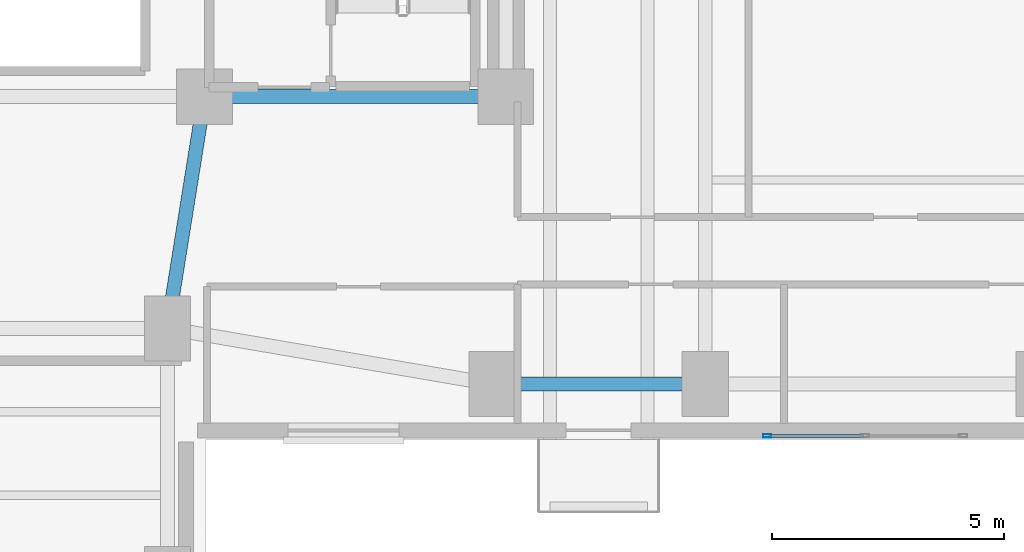
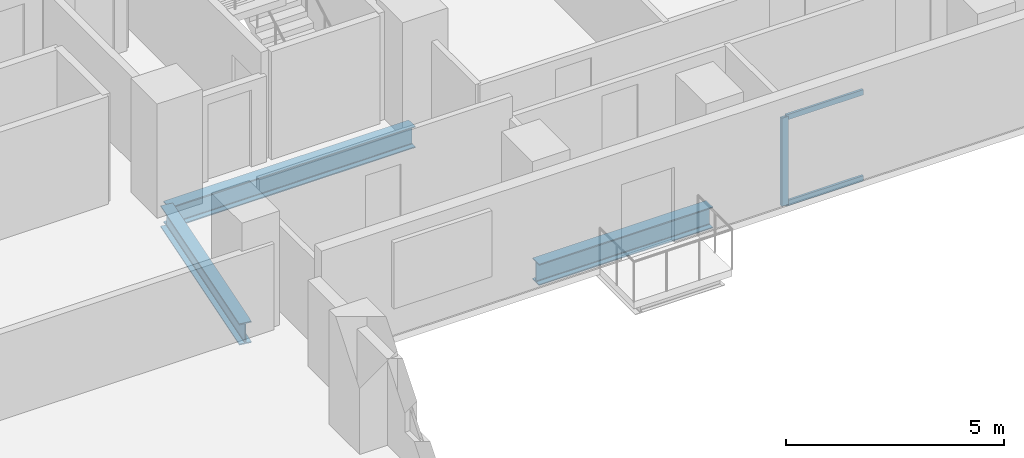
# One storey, part 4 of 17: 3 beams, 3 members, 1 element without a shape of its own.
"""IFC4 building model written with IfcOpenShell, lengths in metres."""

from ifc_helpers import new_model, si_unit, direction, frame, origin, origin_2d, place, context, subcontext, project, spatial, hollow_rectangle, i_section, extrude, material, material_profile, profile_set, type_object, element, aggregate, save


model = new_model("IFC4")

# Units and contexts
model_context = context("Model", 3, precision=1e-05, world=origin(), true_north=direction((0.0, 1.0)))
body_context = subcontext(model_context, "Body", "Model", "MODEL_VIEW")
ifc_project = project(units=[si_unit("LENGTHUNIT", "METRE"), si_unit("AREAUNIT", "SQUARE_METRE"), si_unit("VOLUMEUNIT", "CUBIC_METRE"), si_unit("PLANEANGLEUNIT", "RADIAN"), si_unit("MASSUNIT", "GRAM", prefix="KILO")], contexts=[model_context])

# Site, building, storey
site_placement = place(None, origin())
site = spatial("IfcSite", under=ifc_project, at=site_placement, CompositionType="ELEMENT")
building_placement = place(site_placement, origin())
building = spatial("IfcBuilding", under=site, at=building_placement, Name="Kuzgunbayir Cultural Tower", CompositionType="ELEMENT")
storey_placement = place(building_placement, frame((0.0, 0.0, 46.800048828125)))
storey = spatial("IfcBuildingStorey", under=building, at=storey_placement, Name="L12", CompositionType="ELEMENT", Elevation=46.800048828125)

# Beams
ifc_material_1 = material(Name="Steel S355J2", Category="steel")
ifc_material_profile_1 = material_profile(ifc_material_1, i_section(OverallWidth=0.300048828125, OverallDepth=0.60009765625, WebThickness=0.015380859375, FlangeThickness=0.030029296875, FilletRadius=0.027099609375, at=origin_2d()), Name="HEB 600")
ifc_profile_set_1 = profile_set([ifc_material_profile_1], Name="Steel S355J2")
beam_type_1 = type_object("IfcBeamType", Name="BM-EXT-HEB600", PredefinedType="BEAM", material=ifc_profile_set_1)
beam_1_placement = place(storey_placement, frame((26.60009765625, 27.60009765625, -0.47998046875), z_axis=(1.0, 0.0, 0.0), x_axis=(0.0, 1.0, 0.0)))
element("IfcBeam", 1, at=beam_1_placement, inside=storey, type_object=beam_type_1, Name="L12 Wing B South Girder 1", PredefinedType="BEAM", context=body_context, shape_type="SweptSolid", body=[
    extrude(i_section(OverallWidth=0.300048828125, OverallDepth=0.60009765625, WebThickness=0.015380859375, FlangeThickness=0.030029296875, FilletRadius=0.027099609375, at=origin_2d()), origin(), (0.0, 0.0, 1.0), 4.599853515625),
])
ifc_material_profile_2 = material_profile(ifc_material_1, i_section(OverallWidth=0.300048828125, OverallDepth=0.60009765625, WebThickness=0.015380859375, FlangeThickness=0.030029296875, FilletRadius=0.027099609375, at=origin_2d()), Name="HEB 600")
ifc_profile_set_2 = profile_set([ifc_material_profile_2], Name="Steel S355J2")
beam_type_2 = type_object("IfcBeamType", Name="BM-GIR-HEB600", PredefinedType="BEAM", material=ifc_profile_set_2)
beam_2_placement = place(storey_placement, frame((20.39990234375, 33.800048828125, -0.47998046875), z_axis=(1.0, 0.0, 0.0), x_axis=(0.0, 1.0, 0.0)))
element("IfcBeam", 2, at=beam_2_placement, inside=storey, type_object=beam_type_2, Name="L12 Core South Girder 3", PredefinedType="BEAM", context=body_context, shape_type="SweptSolid", body=[
    extrude(i_section(OverallWidth=0.300048828125, OverallDepth=0.60009765625, WebThickness=0.015380859375, FlangeThickness=0.030029296875, FilletRadius=0.027099609375, at=origin_2d()), origin(), (0.0, 0.0, 1.0), 6.5),
])
beam_3_placement = place(storey_placement, frame((19.60009765625, 28.800048828125, -0.47998046875), z_axis=(0.157952891656, 0.987446648694, 0.0), x_axis=(-0.987446648694, 0.157952891656, 0.0)))
element("IfcBeam", 3, at=beam_3_placement, inside=storey, type_object=beam_type_2, Name="L12 Wing A East Core Floor Girder", PredefinedType="BEAM", context=body_context, shape_type="SweptSolid", body=[
    extrude(i_section(OverallWidth=0.300048828125, OverallDepth=0.60009765625, WebThickness=0.015380859375, FlangeThickness=0.030029296875, FilletRadius=0.027099609375, at=origin_2d()), origin(), (0.0, 0.0, 1.0), 5.0634765625),
])

# Curtain wall, members
ifc_material_2 = material(Name="Anodised Aluminium Framing", Category="aluminium")
curtain_wall_type = type_object("IfcCurtainWallType", Name="CW03-T1-OFFICE", PredefinedType="NOTDEFINED", material=ifc_material_2)
curtain_wall_placement = place(storey_placement, origin())
curtain_wall = element("IfcCurtainWall", 4, at=curtain_wall_placement, inside=storey, type_object=curtain_wall_type, Name="L12 Wing B South Feature Curtain Wall", PredefinedType="NOTDEFINED")
ifc_material_profile_3 = material_profile(ifc_material_2, hollow_rectangle(XDim=0.074951171875, YDim=0.179931640625, WallThickness=0.0048828125, at=origin_2d()), Name="RHS 180x75x5")
ifc_profile_set_3 = profile_set([ifc_material_profile_3], Name="Anodised Aluminium Framing")
member_type_1 = type_object("IfcMemberType", Name="MEM-CW-MULLION-180", PredefinedType="MULLION", material=ifc_profile_set_3)
member_1_placement = place(storey_placement, frame((32.53759765625, 26.47998046875, 0.0), z_axis=(0.0, 0.0, 1.0), x_axis=(0.0, 1.0, 0.0)))
member_1 = element("IfcMember", 5, at=member_1_placement, type_object=member_type_1, Name="CW03 mullion 1", PredefinedType="MULLION", context=body_context, shape_type="SweptSolid", body=[
    extrude(hollow_rectangle(XDim=0.074951171875, YDim=0.179931640625, WallThickness=0.0048828125, at=origin_2d()), origin(), (0.0, 0.0, 1.0), 2.469970703125),
])
ifc_material_profile_4 = material_profile(ifc_material_2, hollow_rectangle(XDim=0.06005859375, YDim=0.14990234375, WallThickness=0.00390625, at=origin_2d()), Name="RHS 150x60x4")
ifc_profile_set_4 = profile_set([ifc_material_profile_4], Name="Anodised Aluminium Framing")
member_type_2 = type_object("IfcMemberType", Name="MEM-CW-TRANSOM-150", PredefinedType="USERDEFINED", material=ifc_profile_set_4)
member_2_placement = place(storey_placement, frame((32.574951171875, 26.47998046875, 0.030029296875), z_axis=(1.0, 0.0, 0.0), x_axis=(0.0, 1.0, 0.0)))
member_2 = element("IfcMember", 6, at=member_2_placement, type_object=member_type_2, Name="CW03 transom 1.1", ObjectType="TRANSOM", PredefinedType="USERDEFINED", context=body_context, shape_type="SweptSolid", body=[
    extrude(hollow_rectangle(XDim=0.06005859375, YDim=0.14990234375, WallThickness=0.00390625, at=origin_2d()), origin(), (0.0, 0.0, 1.0), 2.03759765625),
])
member_3_placement = place(storey_placement, frame((32.574951171875, 26.47998046875, 2.43994140625), z_axis=(1.0, 0.0, 0.0), x_axis=(0.0, 1.0, 0.0)))
member_3 = element("IfcMember", 7, at=member_3_placement, type_object=member_type_2, Name="CW03 transom 1.2", ObjectType="TRANSOM", PredefinedType="USERDEFINED", context=body_context, shape_type="SweptSolid", body=[
    extrude(hollow_rectangle(XDim=0.06005859375, YDim=0.14990234375, WallThickness=0.00390625, at=origin_2d()), origin(), (0.0, 0.0, 1.0), 2.03759765625),
])
aggregate(curtain_wall, [member_1, member_2, member_3])

save(model, "model.ifc")
